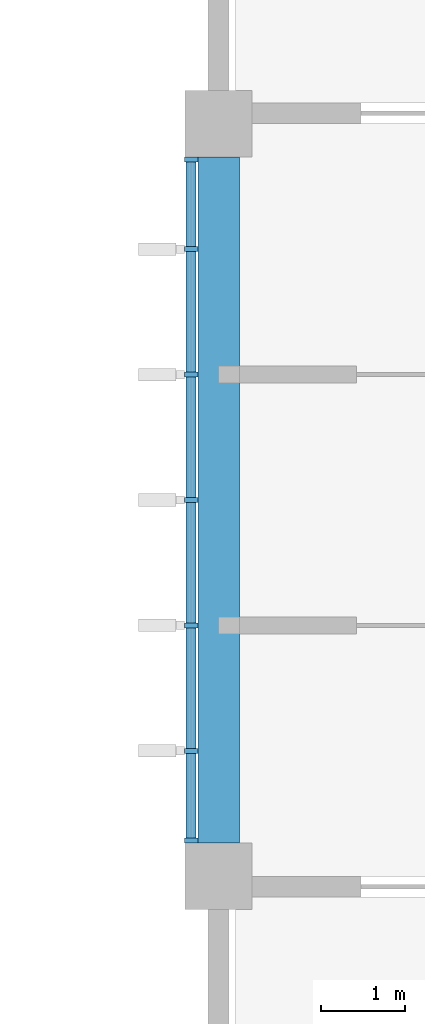
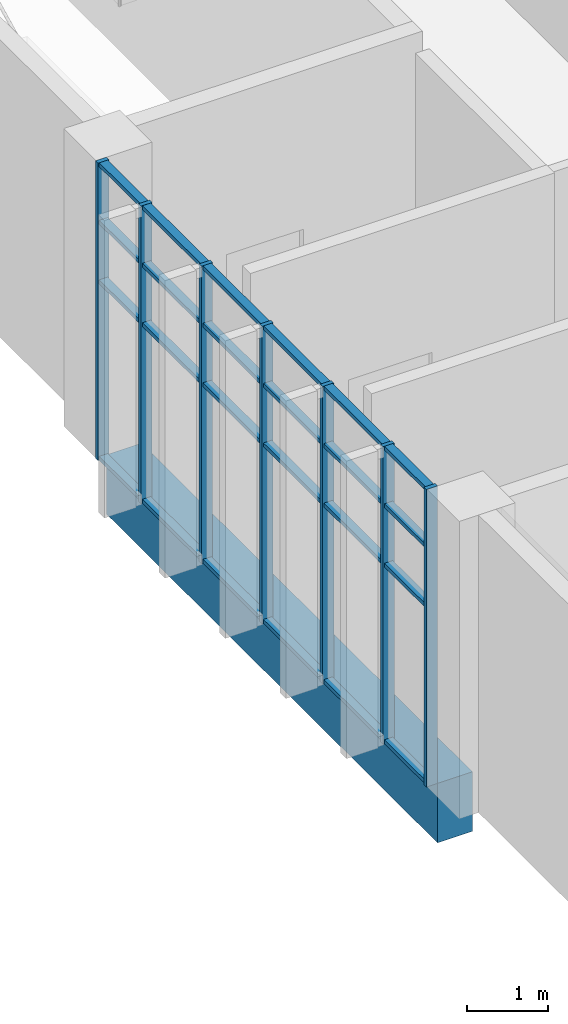
# One storey, part 9 of 43: 31 members, 1 beam, 1 element without a shape of its own.
"""IFC4 building model written with IfcOpenShell, lengths in metres."""

import ifcopenshell
import ifcopenshell.guid

model = None  # the IFC model being written
_history = None  # IfcOwnerHistory: only IFC2X3 demands one
_inside = {}  # id of a spatial element -> (the spatial element, [elements in it])
_under = {}  # id of a project, library or spatial element -> (it, [spatial elements below it])
_declared = {}  # id of a project -> (the project, [libraries it declares])
_typed = {}  # id of a type object -> (the type object, [elements of that type])
_made_of = {}  # id of a material, layer set ... -> (it, [elements and type objects made of it])


def new_model(schema):
    """Start an empty IFC model of exactly this schema.

    Asked for "IFC4X3", IfcOpenShell would pick the latest addendum, in which some entities
    have other attributes; the version numbers below select the first issue.
    IFC2X3 requires an IfcOwnerHistory on every rooted entity: one is made here for all.
    """
    global model, _history
    if schema == "IFC4X3":
        model = ifcopenshell.file(schema_version=(4, 3, 0, 0))
    else:
        model = ifcopenshell.file(schema=schema)
    _inside.clear()
    _under.clear()
    _declared.clear()
    _typed.clear()
    _made_of.clear()
    _history = None
    if model.schema == "IFC2X3":
        org = make("IfcOrganization", Name="unknown")
        user = make(
            "IfcPersonAndOrganization",
            ThePerson=make("IfcPerson", FamilyName="unknown"),
            TheOrganization=org,
        )
        app = make(
            "IfcApplication",
            ApplicationDeveloper=org,
            Version="unknown",
            ApplicationFullName="unknown",
            ApplicationIdentifier="unknown",
        )
        _history = make(
            "IfcOwnerHistory",
            OwningUser=user,
            OwningApplication=app,
            ChangeAction="ADDED",
            CreationDate=0,
        )
    return model


def make(cls, **values):
    """One entity of the class cls with the attributes given. An attribute that is None is left unset."""
    return model.create_entity(
        cls, **{name: value for name, value in values.items() if value is not None}
    )


def rooted(cls, **values):
    """An entity with a GlobalId (a new one), such as an element, a storey or a relation."""
    return make(cls, GlobalId=ifcopenshell.guid.new(), OwnerHistory=_history, **values)


def si_unit(unit_type, name, prefix=None):
    """IfcSIUnit, for example si_unit("LENGTHUNIT", "METRE", prefix="MILLI")."""
    return make("IfcSIUnit", UnitType=unit_type, Prefix=prefix, Name=name)


def assignment(units):
    """IfcUnitAssignment: the units of a project."""
    return None if units is None else make("IfcUnitAssignment", Units=units)


def point(xyz):
    """IfcCartesianPoint."""
    return None if xyz is None else make("IfcCartesianPoint", Coordinates=xyz)


def direction(xyz):
    """IfcDirection."""
    return None if xyz is None else make("IfcDirection", DirectionRatios=xyz)


def frame(location, z_axis=None, x_axis=None):
    """IfcAxis2Placement3D, a coordinate frame: its origin and axes. An axis left out is left unset."""
    return make(
        "IfcAxis2Placement3D",
        Location=point(location),
        Axis=direction(z_axis),
        RefDirection=direction(x_axis),
    )


def frame_2d(location, x_axis=None):
    """IfcAxis2Placement2D, a coordinate frame in the plane: its origin and x axis."""
    return make(
        "IfcAxis2Placement2D", Location=point(location), RefDirection=direction(x_axis)
    )


def origin():
    """The frame at (0, 0, 0) with its axes left unset."""
    return frame((0.0, 0.0, 0.0))


def origin_2d():
    """The frame at (0, 0) in the plane with its x axis left unset."""
    return frame_2d((0.0, 0.0))


def place(relative_to, where):
    """IfcLocalPlacement: puts the frame where relative to a parent placement (None: the world)."""
    return make(
        "IfcLocalPlacement", PlacementRelTo=relative_to, RelativePlacement=where
    )


def context(
    kind, dimensions, precision=None, world=None, true_north=None, identifier=None
):
    """IfcGeometricRepresentationContext, for example the 3D "Model" context."""
    return make(
        "IfcGeometricRepresentationContext",
        ContextIdentifier=identifier,
        ContextType=kind,
        CoordinateSpaceDimension=dimensions,
        Precision=precision,
        WorldCoordinateSystem=world,
        TrueNorth=true_north,
    )


def subcontext(parent, identifier, kind, view, scale=None):
    """IfcGeometricRepresentationSubContext, for example "Body" below "Model"."""
    return make(
        "IfcGeometricRepresentationSubContext",
        ContextIdentifier=identifier,
        ContextType=kind,
        ParentContext=parent,
        TargetScale=scale,
        TargetView=view,
    )


def project(units=None, contexts=None):
    """IfcProject with its units and contexts."""
    return rooted(
        "IfcProject",
        Name="project",
        RepresentationContexts=contexts,
        UnitsInContext=assignment(units),
    )


def spatial(cls, under=None, at=None, **own):
    """A site, building, storey or space (cls), placed at a placement, below another one or the project."""
    s = rooted(cls, ObjectPlacement=at, **own)
    if under is not None:
        _under.setdefault(under.id(), (under, []))[1].append(s)
    return s


def profile(cls, at=None, kind="AREA", **sizes):
    """A parametric profile (cls). Its sizes go by their IFC names, for example OverallWidth=200.0."""
    return make(cls, ProfileType=kind, Position=at, **sizes)


def rectangle(**sizes):
    """IfcRectangleProfileDef."""
    return profile("IfcRectangleProfileDef", **sizes)


def extrude(swept, where, along, depth):
    """IfcExtrudedAreaSolid: the profile swept, set in the frame where, extruded along a direction by depth."""
    return make(
        "IfcExtrudedAreaSolid",
        SweptArea=swept,
        Position=where,
        ExtrudedDirection=direction(along),
        Depth=depth,
    )


def shape(context_of_items, identifier, shape_type, items):
    """IfcShapeRepresentation: the items that make up one representation, for example the "Body"."""
    return make(
        "IfcShapeRepresentation",
        ContextOfItems=context_of_items,
        RepresentationIdentifier=identifier,
        RepresentationType=shape_type,
        Items=items,
    )


def material(Name=None, Category=None):
    """IfcMaterial."""
    return make("IfcMaterial", Name=Name, Category=Category)


def layer(
    of_material, thickness, ventilated=None, Name=None, Category=None, Priority=None
):
    """IfcMaterialLayer: one layer of a wall or slab, of a material (None: an air gap)."""
    return make(
        "IfcMaterialLayer",
        Material=of_material,
        LayerThickness=thickness,
        IsVentilated=ventilated,
        Name=Name,
        Category=Category,
        Priority=Priority,
    )


def layer_set(layers, Name=None):
    """IfcMaterialLayerSet."""
    return make("IfcMaterialLayerSet", MaterialLayers=layers, LayerSetName=Name)


def material_profile(
    of_material, cross_section, Name=None, Category=None, Priority=None
):
    """IfcMaterialProfile: a cross section and its material."""
    return make(
        "IfcMaterialProfile",
        Name=Name,
        Material=of_material,
        Profile=cross_section,
        Priority=Priority,
        Category=Category,
    )


def profile_set(profiles, Name=None, composite=None):
    """IfcMaterialProfileSet."""
    return make(
        "IfcMaterialProfileSet",
        Name=Name,
        MaterialProfiles=profiles,
        CompositeProfile=composite,
    )


def made_of(thing, what):
    """Note that an element or type object is made of a material, layer set ...; save() writes the relation."""
    if what is not None:
        _made_of.setdefault(what.id(), (what, []))[1].append(thing)
    return thing


def type_object(cls, material=None, **own):
    """A type object (cls), such as IfcWallType, which elements share."""
    return made_of(rooted(cls, **own), material)


def element(
    cls,
    number,
    at=None,
    inside=None,
    cuts=None,
    type_object=None,
    material=None,
    context=None,
    identifier="Body",
    shape_type=None,
    held_by="IfcProductDefinitionShape",
    body=None,
    shapes=None,
    **own,
):
    """One element of the class cls, such as IfcWall. Its Tag is "e" and its number.

    at: its placement. inside: the storey or other place that contains it. cuts: it is an
    opening in that element (IfcRelVoidsElement). A single representation is given by context,
    identifier, shape_type and body (its items); several are given by shapes. held_by: the class
    of the entity that holds the representations. save() writes the other relations.
    """
    e = rooted(cls, Tag="e%d" % number, ObjectPlacement=at, **own)
    if body is not None:
        shapes = [shape(context, identifier, shape_type, body)]
    if shapes is not None:
        e.Representation = make(held_by, Representations=shapes)
    if inside is not None:
        _inside.setdefault(inside.id(), (inside, []))[1].append(e)
    if cuts is not None:
        rooted(
            "IfcRelVoidsElement", RelatingBuildingElement=cuts, RelatedOpeningElement=e
        )
    if type_object is not None:
        _typed.setdefault(type_object.id(), (type_object, []))[1].append(e)
    return made_of(e, material)


def aggregate(whole, parts):
    """IfcRelAggregates: a whole, such as a stair, and the parts it consists of."""
    return rooted("IfcRelAggregates", RelatingObject=whole, RelatedObjects=parts)


def save(model, path):
    """Write the relations noted so far, then the file.

    IfcRelAggregates (storeys below a building ...), IfcRelContainedInSpatialStructure (elements
    in a storey), IfcRelDefinesByType, IfcRelAssociatesMaterial and IfcRelDeclares: one each for
    every whole, place, type object, material and project.
    """
    for whole, parts in _under.values():
        aggregate(whole, parts)
    for where, things in _inside.values():
        rooted(
            "IfcRelContainedInSpatialStructure",
            RelatedElements=things,
            RelatingStructure=where,
        )
    for kind, things in _typed.values():
        rooted("IfcRelDefinesByType", RelatedObjects=things, RelatingType=kind)
    for what, things in _made_of.values():
        rooted("IfcRelAssociatesMaterial", RelatedObjects=things, RelatingMaterial=what)
    for by, libraries in _declared.values():
        rooted("IfcRelDeclares", RelatingContext=by, RelatedDefinitions=libraries)
    model.write(path)


model = new_model("IFC4")

# Units and contexts
model_context = context("Model", 3, precision=1e-05, world=origin(), true_north=direction((0.0, 1.0)))
body_context = subcontext(model_context, "Body", "Model", "MODEL_VIEW")
ifc_project = project(units=[si_unit("LENGTHUNIT", "METRE"), si_unit("AREAUNIT", "SQUARE_METRE"), si_unit("VOLUMEUNIT", "CUBIC_METRE"), si_unit("PLANEANGLEUNIT", "RADIAN"), si_unit("MASSUNIT", "GRAM", prefix="KILO")], contexts=[model_context])

# Site, building, storey
site_placement = place(None, origin())
site = spatial("IfcSite", under=ifc_project, at=site_placement, CompositionType="ELEMENT")
building_placement = place(site_placement, origin())
building = spatial("IfcBuilding", under=site, at=building_placement, Name="Guidao Yard Department Store", CompositionType="ELEMENT")
storey_placement = place(building_placement, frame((0.0, 0.0, 28.5)))
storey = spatial("IfcBuildingStorey", under=building, at=storey_placement, Name="L06", CompositionType="ELEMENT", Elevation=28.5)

# Curtain wall, members
ifc_material_1 = material(Name="Aluminium and glass", Category="aluminium")
ifc_layer = layer(ifc_material_1, 0.159912109375)
ifc_layer_set = layer_set([ifc_layer], Name="Unitised curtain wall CW4 1500 module")
curtain_wall_type = type_object("IfcCurtainWallType", Name="Unitised curtain wall CW4 1500 module", PredefinedType="NOTDEFINED", material=ifc_layer_set)
curtain_wall_placement = place(storey_placement, origin())
curtain_wall = element("IfcCurtainWall", 1, at=curtain_wall_placement, inside=storey, type_object=curtain_wall_type, Name="Unitised curtain wall", PredefinedType="NOTDEFINED")
ifc_material_2 = material(Name="Aluminium 6063-T5", Category="aluminium")
ifc_material_profile_1 = material_profile(ifc_material_2, rectangle(XDim=0.06005859375, YDim=0.159912109375, at=origin_2d()), Name="Mullion M1 60 x 160 aluminium pressure plate")
ifc_profile_set_1 = profile_set([ifc_material_profile_1], Name="Aluminium 6063-T5")
member_type_1 = type_object("IfcMemberType", Name="Mullion M1 60 x 160 aluminium pressure plate", PredefinedType="MULLION", material=ifc_profile_set_1)
member_1_placement = place(storey_placement, frame((125.669921875, 9.429931640625, 0.0), z_axis=(0.0, 0.0, 1.0), x_axis=(0.0, 1.0, 0.0)))
member_1 = element("IfcMember", 2, at=member_1_placement, type_object=member_type_1, Name="CW-OW-L06-05 mullion 1", PredefinedType="MULLION", context=body_context, shape_type="SweptSolid", body=[
    extrude(rectangle(XDim=0.06005859375, YDim=0.159912109375, at=origin_2d()), origin(), (0.0, 0.0, 1.0), 4.5),
])
member_2_placement = place(storey_placement, frame((125.669921875, 10.5, 0.0), z_axis=(0.0, 0.0, 1.0), x_axis=(0.0, 1.0, 0.0)))
member_2 = element("IfcMember", 3, at=member_2_placement, type_object=member_type_1, Name="CW-OW-L06-05 mullion 2", PredefinedType="MULLION", context=body_context, shape_type="SweptSolid", body=[
    extrude(rectangle(XDim=0.06005859375, YDim=0.159912109375, at=origin_2d()), origin(), (0.0, 0.0, 1.0), 4.5),
])
member_3_placement = place(storey_placement, frame((125.669921875, 12.0, 0.0), z_axis=(0.0, 0.0, 1.0), x_axis=(0.0, 1.0, 0.0)))
member_3 = element("IfcMember", 4, at=member_3_placement, type_object=member_type_1, Name="CW-OW-L06-05 mullion 3", PredefinedType="MULLION", context=body_context, shape_type="SweptSolid", body=[
    extrude(rectangle(XDim=0.06005859375, YDim=0.159912109375, at=origin_2d()), origin(), (0.0, 0.0, 1.0), 4.5),
])
member_4_placement = place(storey_placement, frame((125.669921875, 13.5, 0.0), z_axis=(0.0, 0.0, 1.0), x_axis=(0.0, 1.0, 0.0)))
member_4 = element("IfcMember", 5, at=member_4_placement, type_object=member_type_1, Name="CW-OW-L06-05 mullion 4", PredefinedType="MULLION", context=body_context, shape_type="SweptSolid", body=[
    extrude(rectangle(XDim=0.06005859375, YDim=0.159912109375, at=origin_2d()), origin(), (0.0, 0.0, 1.0), 4.5),
])
member_5_placement = place(storey_placement, frame((125.669921875, 15.0, 0.0), z_axis=(0.0, 0.0, 1.0), x_axis=(0.0, 1.0, 0.0)))
member_5 = element("IfcMember", 6, at=member_5_placement, type_object=member_type_1, Name="CW-OW-L06-05 mullion 5", PredefinedType="MULLION", context=body_context, shape_type="SweptSolid", body=[
    extrude(rectangle(XDim=0.06005859375, YDim=0.159912109375, at=origin_2d()), origin(), (0.0, 0.0, 1.0), 4.5),
])
member_6_placement = place(storey_placement, frame((125.669921875, 16.5, 0.0), z_axis=(0.0, 0.0, 1.0), x_axis=(0.0, 1.0, 0.0)))
member_6 = element("IfcMember", 7, at=member_6_placement, type_object=member_type_1, Name="CW-OW-L06-05 mullion 6", PredefinedType="MULLION", context=body_context, shape_type="SweptSolid", body=[
    extrude(rectangle(XDim=0.06005859375, YDim=0.159912109375, at=origin_2d()), origin(), (0.0, 0.0, 1.0), 4.5),
])
member_7_placement = place(storey_placement, frame((125.669921875, 17.570068359375, 0.0), z_axis=(0.0, 0.0, 1.0), x_axis=(0.0, 1.0, 0.0)))
member_7 = element("IfcMember", 8, at=member_7_placement, type_object=member_type_1, Name="CW-OW-L06-05 mullion 7", PredefinedType="MULLION", context=body_context, shape_type="SweptSolid", body=[
    extrude(rectangle(XDim=0.06005859375, YDim=0.159912109375, at=origin_2d()), origin(), (0.0, 0.0, 1.0), 4.5),
])

# Beam
ifc_material_3 = material(Name="Concrete C40", Category="concrete")
ifc_material_profile_2 = material_profile(ifc_material_3, rectangle(XDim=0.5, YDim=0.89990234375, at=origin_2d()), Name="Spandrel beam 500 x 900 C40")
ifc_profile_set_2 = profile_set([ifc_material_profile_2], Name="Concrete C40")
beam_type = type_object("IfcBeamType", Name="Spandrel beam 500 x 900 C40", PredefinedType="SPANDREL", material=ifc_profile_set_2)
beam_placement = place(storey_placement, frame((126.0, 9.39990234375, -0.449951171875), z_axis=(0.0, 1.0, 0.0), x_axis=(-1.0, 0.0, 0.0)))
element("IfcBeam", 9, at=beam_placement, inside=storey, type_object=beam_type, Name="Beam FB04", PredefinedType="SPANDREL", context=body_context, shape_type="SweptSolid", body=[
    extrude(rectangle(XDim=0.5, YDim=0.89990234375, at=origin_2d()), origin(), (0.0, 0.0, 1.0), 8.2001953125),
])

# Member
ifc_material_4 = material(Name="Aluminium 6063-T5", Category="aluminium")
ifc_material_profile_3 = material_profile(ifc_material_4, rectangle(XDim=0.1201171875, YDim=0.06005859375, at=origin_2d()), Name="Transom T1 60 x 120 aluminium pressure plate")
ifc_profile_set_3 = profile_set([ifc_material_profile_3], Name="Aluminium 6063-T5")
member_type_2 = type_object("IfcMemberType", Name="Transom T1 60 x 120 aluminium pressure plate", PredefinedType="USERDEFINED", material=ifc_profile_set_3)
member_8_placement = place(storey_placement, frame((125.669921875, 9.4599609375, 0.030029296875), z_axis=(0.0, 1.0, 0.0), x_axis=(-1.0, 0.0, 0.0)))
member_8 = element("IfcMember", 10, at=member_8_placement, type_object=member_type_2, Name="CW-OW-L06-05 transom 1.1", ObjectType="TRANSOM", PredefinedType="USERDEFINED", context=body_context, shape_type="SweptSolid", body=[
    extrude(rectangle(XDim=0.1201171875, YDim=0.06005859375, at=origin_2d()), origin(), (0.0, 0.0, 1.0), 1.010009765625),
])

member_9_placement = place(storey_placement, frame((125.669921875, 9.4599609375, 2.699951171875), z_axis=(0.0, 1.0, 0.0), x_axis=(-1.0, 0.0, 0.0)))
member_9 = element("IfcMember", 11, at=member_9_placement, type_object=member_type_2, Name="CW-OW-L06-05 transom 1.2", ObjectType="TRANSOM", PredefinedType="USERDEFINED", context=body_context, shape_type="SweptSolid", body=[
    extrude(rectangle(XDim=0.1201171875, YDim=0.06005859375, at=origin_2d()), origin(), (0.0, 0.0, 1.0), 1.010009765625),
])

member_10_placement = place(storey_placement, frame((125.669921875, 9.4599609375, 3.60009765625), z_axis=(0.0, 1.0, 0.0), x_axis=(-1.0, 0.0, 0.0)))
member_10 = element("IfcMember", 12, at=member_10_placement, type_object=member_type_2, Name="CW-OW-L06-05 transom 1.3", ObjectType="TRANSOM", PredefinedType="USERDEFINED", context=body_context, shape_type="SweptSolid", body=[
    extrude(rectangle(XDim=0.1201171875, YDim=0.06005859375, at=origin_2d()), origin(), (0.0, 0.0, 1.0), 1.010009765625),
])

member_11_placement = place(storey_placement, frame((125.669921875, 9.4599609375, 4.469970703125), z_axis=(0.0, 1.0, 0.0), x_axis=(-1.0, 0.0, 0.0)))
member_11 = element("IfcMember", 13, at=member_11_placement, type_object=member_type_2, Name="CW-OW-L06-05 transom 1.4", ObjectType="TRANSOM", PredefinedType="USERDEFINED", context=body_context, shape_type="SweptSolid", body=[
    extrude(rectangle(XDim=0.1201171875, YDim=0.06005859375, at=origin_2d()), origin(), (0.0, 0.0, 1.0), 1.010009765625),
])

member_12_placement = place(storey_placement, frame((125.669921875, 10.530029296875, 0.030029296875), z_axis=(0.0, 1.0, 0.0), x_axis=(-1.0, 0.0, 0.0)))
member_12 = element("IfcMember", 14, at=member_12_placement, type_object=member_type_2, Name="CW-OW-L06-05 transom 2.1", ObjectType="TRANSOM", PredefinedType="USERDEFINED", context=body_context, shape_type="SweptSolid", body=[
    extrude(rectangle(XDim=0.1201171875, YDim=0.06005859375, at=origin_2d()), origin(), (0.0, 0.0, 1.0), 1.43994140625),
])

member_13_placement = place(storey_placement, frame((125.669921875, 10.530029296875, 2.699951171875), z_axis=(0.0, 1.0, 0.0), x_axis=(-1.0, 0.0, 0.0)))
member_13 = element("IfcMember", 15, at=member_13_placement, type_object=member_type_2, Name="CW-OW-L06-05 transom 2.2", ObjectType="TRANSOM", PredefinedType="USERDEFINED", context=body_context, shape_type="SweptSolid", body=[
    extrude(rectangle(XDim=0.1201171875, YDim=0.06005859375, at=origin_2d()), origin(), (0.0, 0.0, 1.0), 1.43994140625),
])

member_14_placement = place(storey_placement, frame((125.669921875, 10.530029296875, 3.60009765625), z_axis=(0.0, 1.0, 0.0), x_axis=(-1.0, 0.0, 0.0)))
member_14 = element("IfcMember", 16, at=member_14_placement, type_object=member_type_2, Name="CW-OW-L06-05 transom 2.3", ObjectType="TRANSOM", PredefinedType="USERDEFINED", context=body_context, shape_type="SweptSolid", body=[
    extrude(rectangle(XDim=0.1201171875, YDim=0.06005859375, at=origin_2d()), origin(), (0.0, 0.0, 1.0), 1.43994140625),
])

member_15_placement = place(storey_placement, frame((125.669921875, 10.530029296875, 4.469970703125), z_axis=(0.0, 1.0, 0.0), x_axis=(-1.0, 0.0, 0.0)))
member_15 = element("IfcMember", 17, at=member_15_placement, type_object=member_type_2, Name="CW-OW-L06-05 transom 2.4", ObjectType="TRANSOM", PredefinedType="USERDEFINED", context=body_context, shape_type="SweptSolid", body=[
    extrude(rectangle(XDim=0.1201171875, YDim=0.06005859375, at=origin_2d()), origin(), (0.0, 0.0, 1.0), 1.43994140625),
])

member_16_placement = place(storey_placement, frame((125.669921875, 12.030029296875, 0.030029296875), z_axis=(0.0, 1.0, 0.0), x_axis=(-1.0, 0.0, 0.0)))
member_16 = element("IfcMember", 18, at=member_16_placement, type_object=member_type_2, Name="CW-OW-L06-05 transom 3.1", ObjectType="TRANSOM", PredefinedType="USERDEFINED", context=body_context, shape_type="SweptSolid", body=[
    extrude(rectangle(XDim=0.1201171875, YDim=0.06005859375, at=origin_2d()), origin(), (0.0, 0.0, 1.0), 1.43994140625),
])

member_17_placement = place(storey_placement, frame((125.669921875, 12.030029296875, 2.699951171875), z_axis=(0.0, 1.0, 0.0), x_axis=(-1.0, 0.0, 0.0)))
member_17 = element("IfcMember", 19, at=member_17_placement, type_object=member_type_2, Name="CW-OW-L06-05 transom 3.2", ObjectType="TRANSOM", PredefinedType="USERDEFINED", context=body_context, shape_type="SweptSolid", body=[
    extrude(rectangle(XDim=0.1201171875, YDim=0.06005859375, at=origin_2d()), origin(), (0.0, 0.0, 1.0), 1.43994140625),
])

member_18_placement = place(storey_placement, frame((125.669921875, 12.030029296875, 3.60009765625), z_axis=(0.0, 1.0, 0.0), x_axis=(-1.0, 0.0, 0.0)))
member_18 = element("IfcMember", 20, at=member_18_placement, type_object=member_type_2, Name="CW-OW-L06-05 transom 3.3", ObjectType="TRANSOM", PredefinedType="USERDEFINED", context=body_context, shape_type="SweptSolid", body=[
    extrude(rectangle(XDim=0.1201171875, YDim=0.06005859375, at=origin_2d()), origin(), (0.0, 0.0, 1.0), 1.43994140625),
])

member_19_placement = place(storey_placement, frame((125.669921875, 12.030029296875, 4.469970703125), z_axis=(0.0, 1.0, 0.0), x_axis=(-1.0, 0.0, 0.0)))
member_19 = element("IfcMember", 21, at=member_19_placement, type_object=member_type_2, Name="CW-OW-L06-05 transom 3.4", ObjectType="TRANSOM", PredefinedType="USERDEFINED", context=body_context, shape_type="SweptSolid", body=[
    extrude(rectangle(XDim=0.1201171875, YDim=0.06005859375, at=origin_2d()), origin(), (0.0, 0.0, 1.0), 1.43994140625),
])

member_20_placement = place(storey_placement, frame((125.669921875, 13.530029296875, 0.030029296875), z_axis=(0.0, 1.0, 0.0), x_axis=(-1.0, 0.0, 0.0)))
member_20 = element("IfcMember", 22, at=member_20_placement, type_object=member_type_2, Name="CW-OW-L06-05 transom 4.1", ObjectType="TRANSOM", PredefinedType="USERDEFINED", context=body_context, shape_type="SweptSolid", body=[
    extrude(rectangle(XDim=0.1201171875, YDim=0.06005859375, at=origin_2d()), origin(), (0.0, 0.0, 1.0), 1.43994140625),
])

member_21_placement = place(storey_placement, frame((125.669921875, 13.530029296875, 2.699951171875), z_axis=(0.0, 1.0, 0.0), x_axis=(-1.0, 0.0, 0.0)))
member_21 = element("IfcMember", 23, at=member_21_placement, type_object=member_type_2, Name="CW-OW-L06-05 transom 4.2", ObjectType="TRANSOM", PredefinedType="USERDEFINED", context=body_context, shape_type="SweptSolid", body=[
    extrude(rectangle(XDim=0.1201171875, YDim=0.06005859375, at=origin_2d()), origin(), (0.0, 0.0, 1.0), 1.43994140625),
])

member_22_placement = place(storey_placement, frame((125.669921875, 13.530029296875, 3.60009765625), z_axis=(0.0, 1.0, 0.0), x_axis=(-1.0, 0.0, 0.0)))
member_22 = element("IfcMember", 24, at=member_22_placement, type_object=member_type_2, Name="CW-OW-L06-05 transom 4.3", ObjectType="TRANSOM", PredefinedType="USERDEFINED", context=body_context, shape_type="SweptSolid", body=[
    extrude(rectangle(XDim=0.1201171875, YDim=0.06005859375, at=origin_2d()), origin(), (0.0, 0.0, 1.0), 1.43994140625),
])

member_23_placement = place(storey_placement, frame((125.669921875, 13.530029296875, 4.469970703125), z_axis=(0.0, 1.0, 0.0), x_axis=(-1.0, 0.0, 0.0)))
member_23 = element("IfcMember", 25, at=member_23_placement, type_object=member_type_2, Name="CW-OW-L06-05 transom 4.4", ObjectType="TRANSOM", PredefinedType="USERDEFINED", context=body_context, shape_type="SweptSolid", body=[
    extrude(rectangle(XDim=0.1201171875, YDim=0.06005859375, at=origin_2d()), origin(), (0.0, 0.0, 1.0), 1.43994140625),
])

member_24_placement = place(storey_placement, frame((125.669921875, 15.030029296875, 0.030029296875), z_axis=(0.0, 1.0, 0.0), x_axis=(-1.0, 0.0, 0.0)))
member_24 = element("IfcMember", 26, at=member_24_placement, type_object=member_type_2, Name="CW-OW-L06-05 transom 5.1", ObjectType="TRANSOM", PredefinedType="USERDEFINED", context=body_context, shape_type="SweptSolid", body=[
    extrude(rectangle(XDim=0.1201171875, YDim=0.06005859375, at=origin_2d()), origin(), (0.0, 0.0, 1.0), 1.43994140625),
])

member_25_placement = place(storey_placement, frame((125.669921875, 15.030029296875, 2.699951171875), z_axis=(0.0, 1.0, 0.0), x_axis=(-1.0, 0.0, 0.0)))
member_25 = element("IfcMember", 27, at=member_25_placement, type_object=member_type_2, Name="CW-OW-L06-05 transom 5.2", ObjectType="TRANSOM", PredefinedType="USERDEFINED", context=body_context, shape_type="SweptSolid", body=[
    extrude(rectangle(XDim=0.1201171875, YDim=0.06005859375, at=origin_2d()), origin(), (0.0, 0.0, 1.0), 1.43994140625),
])

member_26_placement = place(storey_placement, frame((125.669921875, 15.030029296875, 3.60009765625), z_axis=(0.0, 1.0, 0.0), x_axis=(-1.0, 0.0, 0.0)))
member_26 = element("IfcMember", 28, at=member_26_placement, type_object=member_type_2, Name="CW-OW-L06-05 transom 5.3", ObjectType="TRANSOM", PredefinedType="USERDEFINED", context=body_context, shape_type="SweptSolid", body=[
    extrude(rectangle(XDim=0.1201171875, YDim=0.06005859375, at=origin_2d()), origin(), (0.0, 0.0, 1.0), 1.43994140625),
])

member_27_placement = place(storey_placement, frame((125.669921875, 15.030029296875, 4.469970703125), z_axis=(0.0, 1.0, 0.0), x_axis=(-1.0, 0.0, 0.0)))
member_27 = element("IfcMember", 29, at=member_27_placement, type_object=member_type_2, Name="CW-OW-L06-05 transom 5.4", ObjectType="TRANSOM", PredefinedType="USERDEFINED", context=body_context, shape_type="SweptSolid", body=[
    extrude(rectangle(XDim=0.1201171875, YDim=0.06005859375, at=origin_2d()), origin(), (0.0, 0.0, 1.0), 1.43994140625),
])

member_28_placement = place(storey_placement, frame((125.669921875, 16.530029296875, 0.030029296875), z_axis=(0.0, 1.0, 0.0), x_axis=(-1.0, 0.0, 0.0)))
member_28 = element("IfcMember", 30, at=member_28_placement, type_object=member_type_2, Name="CW-OW-L06-05 transom 6.1", ObjectType="TRANSOM", PredefinedType="USERDEFINED", context=body_context, shape_type="SweptSolid", body=[
    extrude(rectangle(XDim=0.1201171875, YDim=0.06005859375, at=origin_2d()), origin(), (0.0, 0.0, 1.0), 1.010009765625),
])

member_29_placement = place(storey_placement, frame((125.669921875, 16.530029296875, 2.699951171875), z_axis=(0.0, 1.0, 0.0), x_axis=(-1.0, 0.0, 0.0)))
member_29 = element("IfcMember", 31, at=member_29_placement, type_object=member_type_2, Name="CW-OW-L06-05 transom 6.2", ObjectType="TRANSOM", PredefinedType="USERDEFINED", context=body_context, shape_type="SweptSolid", body=[
    extrude(rectangle(XDim=0.1201171875, YDim=0.06005859375, at=origin_2d()), origin(), (0.0, 0.0, 1.0), 1.010009765625),
])

member_30_placement = place(storey_placement, frame((125.669921875, 16.530029296875, 3.60009765625), z_axis=(0.0, 1.0, 0.0), x_axis=(-1.0, 0.0, 0.0)))
member_30 = element("IfcMember", 32, at=member_30_placement, type_object=member_type_2, Name="CW-OW-L06-05 transom 6.3", ObjectType="TRANSOM", PredefinedType="USERDEFINED", context=body_context, shape_type="SweptSolid", body=[
    extrude(rectangle(XDim=0.1201171875, YDim=0.06005859375, at=origin_2d()), origin(), (0.0, 0.0, 1.0), 1.010009765625),
])

member_31_placement = place(storey_placement, frame((125.669921875, 16.530029296875, 4.469970703125), z_axis=(0.0, 1.0, 0.0), x_axis=(-1.0, 0.0, 0.0)))
member_31 = element("IfcMember", 33, at=member_31_placement, type_object=member_type_2, Name="CW-OW-L06-05 transom 6.4", ObjectType="TRANSOM", PredefinedType="USERDEFINED", context=body_context, shape_type="SweptSolid", body=[
    extrude(rectangle(XDim=0.1201171875, YDim=0.06005859375, at=origin_2d()), origin(), (0.0, 0.0, 1.0), 1.010009765625),
])

aggregate(curtain_wall, [member_1, member_2, member_3, member_4, member_5, member_6, member_7, member_8, member_9, member_10, member_11, member_12, member_13, member_14, member_15, member_16, member_17, member_18, member_19, member_20, member_21, member_22, member_23, member_24, member_25, member_26, member_27, member_28, member_29, member_30, member_31])

save(model, "model.ifc")
